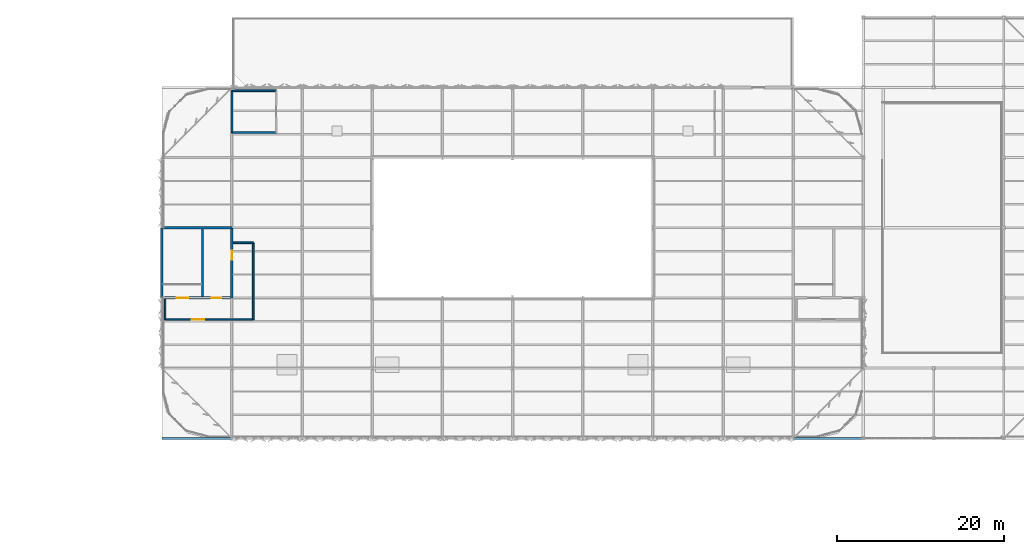
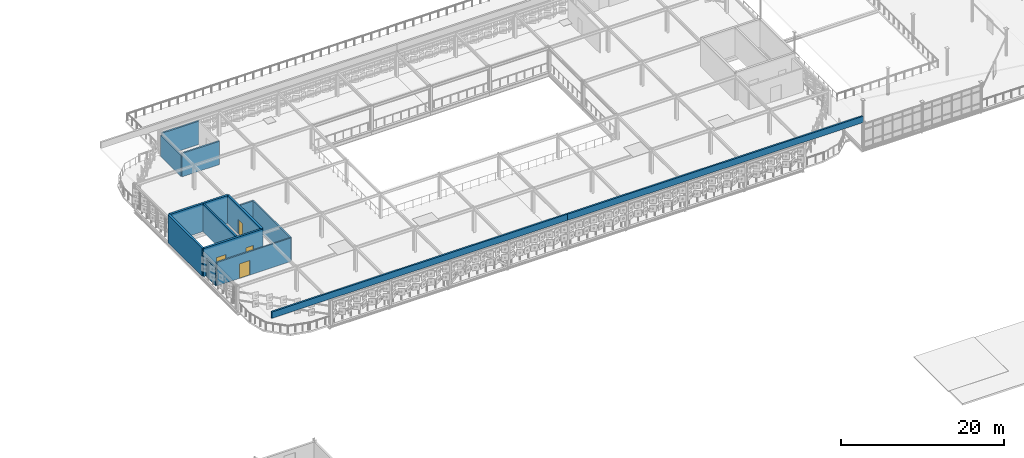
# One storey, part 50 of 65: 14 walls, 4 doors, 4 openings.
"""IFC4 building model written with IfcOpenShell, lengths in metres."""

from ifc_helpers import new_model, si_unit, direction, frame, frame_2d, origin, place, context, subcontext, project, spatial, rectangle, extrude, material, layer, layer_set, type_object, element, fill, save


model = new_model("IFC4")

# Units and contexts
model_context = context("Model", 3, precision=1e-05, world=origin(), true_north=direction((0.0, 1.0)))
body_context = subcontext(model_context, "Body", "Model", "MODEL_VIEW")
ifc_project = project(units=[si_unit("LENGTHUNIT", "METRE"), si_unit("AREAUNIT", "SQUARE_METRE"), si_unit("VOLUMEUNIT", "CUBIC_METRE"), si_unit("PLANEANGLEUNIT", "RADIAN"), si_unit("MASSUNIT", "GRAM", prefix="KILO")], contexts=[model_context])

# Site, building, storey
site_placement = place(None, origin())
site = spatial("IfcSite", under=ifc_project, at=site_placement, CompositionType="ELEMENT")
building_placement = place(site_placement, origin())
building = spatial("IfcBuilding", under=site, at=building_placement, Name="Qalvenar Corner Mobility Hub", CompositionType="ELEMENT")
storey_placement = place(building_placement, frame((0.0, 0.0, 17.39990234375)))
storey = spatial("IfcBuildingStorey", under=building, at=storey_placement, Name="L04", CompositionType="ELEMENT", Elevation=17.39990234375)

# Wall
ifc_material_1 = material(Name="Concrete C40/50", Category="concrete")
ifc_layer_1 = layer(ifc_material_1, 0.25)
ifc_layer_set_1 = layer_set([ifc_layer_1], Name="Concrete C40/50")
wall_type_1 = type_object("IfcWallType", Name="WL-CORE250", PredefinedType="SHEAR", material=ifc_layer_set_1)
wall_1_placement = place(storey_placement, frame((63.64990234375, 84.14990234375, 0.0), z_axis=(0.0, 0.0, 1.0), x_axis=(0.0, 1.0, 0.0)))
element("IfcWall", 1, at=wall_1_placement, inside=storey, type_object=wall_type_1, Name="Core Divider Wall C3-L04", PredefinedType="SHEAR", context=body_context, shape_type="SweptSolid", body=[
    extrude(rectangle(XDim=8.10009765625, YDim=0.25, at=frame_2d((4.050048828125, 0.0))), origin(), (0.0, 0.0, 1.0), 4.2001953125),
])

# Wall, openings, doors
ifc_layer_2 = layer(ifc_material_1, 0.300048828125)
ifc_layer_set_2 = layer_set([ifc_layer_2], Name="Concrete C40/50")
wall_type_2 = type_object("IfcWallType", Name="WL-CORE300", PredefinedType="SHEAR", material=ifc_layer_set_2)
wall_2_placement = place(storey_placement, frame((58.800048828125, 84.0, 0.0), z_axis=(0.0, 0.0, 1.0), x_axis=(1.0, 0.0, 0.0)))
wall_2 = element("IfcWall", 2, at=wall_2_placement, inside=storey, type_object=wall_type_2, Name="Core Shear Wall C3-L04-S", PredefinedType="SHEAR", context=body_context, shape_type="SweptSolid", body=[
    extrude(rectangle(XDim=8.39990234375, YDim=0.300048828125, at=frame_2d((4.199951171875, 0.0))), origin(), (0.0, 0.0, 1.0), 4.2001953125),
])
opening_1_placement = place(wall_2_placement, frame((1.800048828125, 0.0, 0.0)))
opening_1 = element("IfcOpeningElement", 3, at=opening_1_placement, cuts=wall_2, Name="Opening DR-234", PredefinedType="OPENING", context=body_context, shape_type="SweptSolid", body=[
    extrude(rectangle(XDim=1.35009765625, YDim=2.199951171875, at=frame_2d((0.675048828125, 1.10009765625))), frame((0.0, 0.16015625, 0.0), z_axis=(0.0, -1.0, 0.0), x_axis=(1.0, 0.0, 0.0)), (0.0, 0.0, 1.0), 0.320068359375),
])
opening_2_placement = place(wall_2_placement, frame((6.0, 0.0, 0.0)))
opening_2 = element("IfcOpeningElement", 4, at=opening_2_placement, cuts=wall_2, Name="Opening DR-235", PredefinedType="OPENING", context=body_context, shape_type="SweptSolid", body=[
    extrude(rectangle(XDim=1.10009765625, YDim=2.199951171875, at=frame_2d((0.550048828125, 1.10009765625))), frame((0.0, 0.16015625, 0.0), z_axis=(0.0, -1.0, 0.0), x_axis=(1.0, 0.0, 0.0)), (0.0, 0.0, 1.0), 0.320068359375),
])
ifc_material_2 = material(Name="Stainless Steel Lift Landing Door", Category="steel")
door_type_1 = type_object("IfcDoorType", Name="DR-LIFT-110", OperationType="SLIDING_TO_LEFT", PredefinedType="DOOR", material=ifc_material_2)
door_1_placement = place(opening_2_placement, origin())
door_1 = element("IfcDoor", 5, at=door_1_placement, inside=storey, type_object=door_type_1, Name="DR-235 Lift Landing Door LP2-L04", OperationType="SLIDING_TO_LEFT", OverallHeight=2.199951171875, OverallWidth=1.10009765625, PredefinedType="DOOR", context=body_context, shape_type="SweptSolid", body=[
    extrude(rectangle(XDim=1.10009765625, YDim=2.199951171875, at=frame_2d((0.550048828125, 1.10009765625))), frame((0.0, 0.02490234375, 0.0), z_axis=(0.0, -1.0, 0.0), x_axis=(1.0, 0.0, 0.0)), (0.0, 0.0, 1.0), 0.050048828125),
])
fill(opening_2, door_1)
ifc_material_3 = material(Name="Fire-Rated Steel Stair Door FD90", Category="steel")
door_type_2 = type_object("IfcDoorType", Name="DR-STAIR-135", OperationType="NOTDEFINED", PredefinedType="DOOR", material=ifc_material_3)
door_2_placement = place(opening_1_placement, origin())
door_2 = element("IfcDoor", 6, at=door_2_placement, inside=storey, type_object=door_type_2, Name="DR-234 Stair Fire Door ST3-L04", OperationType="SINGLE_SWING_LEFT", OverallHeight=2.199951171875, OverallWidth=1.35009765625, PredefinedType="DOOR", context=body_context, shape_type="SweptSolid", body=[
    extrude(rectangle(XDim=1.35009765625, YDim=2.199951171875, at=frame_2d((0.675048828125, 1.10009765625))), frame((0.0, 0.02490234375, 0.0), z_axis=(0.0, -1.0, 0.0), x_axis=(1.0, 0.0, 0.0)), (0.0, 0.0, 1.0), 0.050048828125),
])
fill(opening_1, door_2)

# Wall, opening, door
wall_3_placement = place(storey_placement, frame((67.199951171875, 84.0, 0.0), z_axis=(0.0, 0.0, 1.0), x_axis=(0.0, 1.0, 0.0)))
wall_3 = element("IfcWall", 7, at=wall_3_placement, inside=storey, type_object=wall_type_2, Name="Core Shear Wall C3-L04-E", PredefinedType="SHEAR", context=body_context, shape_type="SweptSolid", body=[
    extrude(rectangle(XDim=8.39990234375, YDim=0.300048828125, at=frame_2d((4.199951171875, 0.0))), origin(), (0.0, 0.0, 1.0), 4.2001953125),
])
opening_3_placement = place(wall_3_placement, frame((4.550048828125, 0.0, 0.0)))
opening_3 = element("IfcOpeningElement", 8, at=opening_3_placement, cuts=wall_3, Name="Opening DR-236", PredefinedType="OPENING", context=body_context, shape_type="SweptSolid", body=[
    extrude(rectangle(XDim=1.10009765625, YDim=2.199951171875, at=frame_2d((0.550048828125, 1.10009765625))), frame((0.0, 0.16015625, 0.0), z_axis=(0.0, -1.0, 0.0), x_axis=(1.0, 0.0, 0.0)), (0.0, 0.0, 1.0), 0.320068359375),
])
door_3_placement = place(opening_3_placement, origin())
door_3 = element("IfcDoor", 9, at=door_3_placement, inside=storey, type_object=door_type_1, Name="DR-236 Lift Landing Door LP3-L04", OperationType="SLIDING_TO_RIGHT", OverallHeight=2.199951171875, OverallWidth=1.10009765625, PredefinedType="DOOR", context=body_context, shape_type="SweptSolid", body=[
    extrude(rectangle(XDim=1.10009765625, YDim=2.199951171875, at=frame_2d((0.550048828125, 1.10009765625))), frame((0.0, 0.02490234375, 0.0), z_axis=(0.0, -1.0, 0.0), x_axis=(1.0, 0.0, 0.0)), (0.0, 0.0, 1.0), 0.050048828125),
])
fill(opening_3, door_3)

# Walls
for number, where, z_axis, x_axis, name in (
    (10, (67.199951171875, 92.39990234375, 0.0), (0.0, 0.0, 1.0), (-1.0, 0.0, 0.0), "Core Shear Wall C3-L04-N"),
    (11, (58.800048828125, 92.39990234375, 0.0), (0.0, 0.0, 1.0), (0.0, -1.0, 0.0), "Core Shear Wall C3-L04-W"),
):
    element("IfcWall", number, at=place(storey_placement, frame(where, z_axis=z_axis, x_axis=x_axis)), inside=storey, type_object=wall_type_2, Name=name, PredefinedType="SHEAR", context=body_context, shape_type="SweptSolid", body=[
        extrude(rectangle(XDim=8.39990234375, YDim=0.300048828125, at=frame_2d((4.199951171875, 0.0))), origin(), (0.0, 0.0, 1.0), 4.2001953125),
    ])
ifc_material_4 = material(Name="Concrete Blockwork Masonry", Category="masonry")
ifc_layer_3 = layer(ifc_material_4, 0.219970703125)
ifc_layer_set_3 = layer_set([ifc_layer_3], Name="Concrete Blockwork Masonry")
wall_type_3 = type_object("IfcWallType", Name="WL-FIRE220", PredefinedType="PARTITIONING", material=ifc_layer_set_3)
for number, where, z_axis, x_axis, name in (
    (12, (67.199951171875, 103.800048828125, 0.0), (0.0, 0.0, 1.0), (1.0, 0.0, 0.0), "Interior Partition PRT-L04-015"),
    (13, (67.199951171875, 108.800048828125, 0.0), (0.0, 0.0, 1.0), (1.0, 0.0, 0.0), "Interior Partition PRT-L04-016"),
):
    element("IfcWall", number, at=place(storey_placement, frame(where, z_axis=z_axis, x_axis=x_axis)), inside=storey, type_object=wall_type_3, Name=name, PredefinedType="PARTITIONING", context=body_context, shape_type="SweptSolid", body=[
        extrude(rectangle(XDim=5.300048828125, YDim=0.219970703125, at=frame_2d((2.64990234375, 0.0))), origin(), (0.0, 0.0, 1.0), 3.5),
    ])
wall_4_placement = place(storey_placement, frame((67.199951171875, 103.800048828125, 0.0), z_axis=(0.0, 0.0, 1.0), x_axis=(0.0, 1.0, 0.0)))
element("IfcWall", 14, at=wall_4_placement, inside=storey, type_object=wall_type_3, Name="Interior Partition PRT-L04-024", PredefinedType="PARTITIONING", context=body_context, shape_type="SweptSolid", body=[
    extrude(rectangle(XDim=5.0, YDim=0.219970703125, at=frame_2d((2.5, 0.0))), origin(), (0.0, 0.0, 1.0), 3.190185546875),
])
ifc_material_5 = material(Name="Concrete Blockwork Masonry", Category="masonry")
ifc_layer_4 = layer(ifc_material_5, 0.199951171875)
ifc_layer_set_4 = layer_set([ifc_layer_4], Name="Concrete Blockwork Masonry")
wall_type_4 = type_object("IfcWallType", Name="WL-LOBBY200", PredefinedType="PARTITIONING", material=ifc_layer_set_4)
wall_5_placement = place(storey_placement, frame((59.199951171875, 81.39990234375, 0.0), z_axis=(0.0, 0.0, 1.0), x_axis=(0.0, 1.0, 0.0)))
element("IfcWall", 15, at=wall_5_placement, inside=storey, type_object=wall_type_4, Name="Interior Partition WL-LOB-C3-L04-W", PredefinedType="PARTITIONING", context=body_context, shape_type="SweptSolid", body=[
    extrude(rectangle(XDim=2.4501953125, YDim=0.199951171875, at=frame_2d((1.22509765625, 0.0))), origin(), (0.0, 0.0, 1.0), 2.60009765625),
])

# Wall, opening, door
wall_6_placement = place(storey_placement, frame((59.199951171875, 81.39990234375, 0.0), z_axis=(0.0, 0.0, 1.0), x_axis=(1.0, 0.0, 0.0)))
wall_6 = element("IfcWall", 16, at=wall_6_placement, inside=storey, type_object=wall_type_4, Name="Interior Partition WL-LOB-C3-L04-S", PredefinedType="PARTITIONING", context=body_context, shape_type="SweptSolid", body=[
    extrude(rectangle(XDim=10.550048828125, YDim=0.199951171875, at=frame_2d((5.27490234375, 0.0))), origin(), (0.0, 0.0, 1.0), 3.52001953125),
])
opening_4_placement = place(wall_6_placement, frame((3.199951171875, 0.0, 0.0)))
opening_4 = element("IfcOpeningElement", 17, at=opening_4_placement, cuts=wall_6, Name="Opening DR-237", PredefinedType="OPENING", context=body_context, shape_type="SweptSolid", body=[
    extrude(rectangle(XDim=1.5, YDim=2.199951171875, at=frame_2d((0.75, 1.10009765625))), frame((0.0, 0.10986328125, 0.0), z_axis=(0.0, -1.0, 0.0), x_axis=(1.0, 0.0, 0.0)), (0.0, 0.0, 1.0), 0.219970703125),
])
ifc_material_6 = material(Name="Firefighting Lobby Smoke-Control Door FD60", Category="steel")
door_type_3 = type_object("IfcDoorType", Name="DR-FFLOB-150", OperationType="DOUBLE_DOOR_SINGLE_SWING", PredefinedType="DOOR", material=ifc_material_6)
door_4_placement = place(opening_4_placement, origin())
door_4 = element("IfcDoor", 18, at=door_4_placement, inside=storey, type_object=door_type_3, Name="DR-237 Lift Lobby Smoke Door C3-L04", OperationType="DOUBLE_DOOR_SINGLE_SWING", OverallHeight=2.199951171875, OverallWidth=1.5, PredefinedType="DOOR", context=body_context, shape_type="SweptSolid", body=[
    extrude(rectangle(XDim=1.5, YDim=2.199951171875, at=frame_2d((0.75, 1.10009765625))), frame((0.0, 0.02490234375, 0.0), z_axis=(0.0, -1.0, 0.0), x_axis=(1.0, 0.0, 0.0)), (0.0, 0.0, 1.0), 0.050048828125),
])
fill(opening_4, door_4)

# Walls
wall_7_placement = place(storey_placement, frame((69.75, 81.39990234375, 0.0), z_axis=(0.0, 0.0, 1.0), x_axis=(0.0, 1.0, 0.0)))
element("IfcWall", 19, at=wall_7_placement, inside=storey, type_object=wall_type_4, Name="Interior Partition WL-LOB-C3-L04-E", PredefinedType="PARTITIONING", context=body_context, shape_type="SweptSolid", body=[
    extrude(rectangle(XDim=9.2001953125, YDim=0.199951171875, at=frame_2d((4.60009765625, 0.0))), origin(), (0.0, 0.0, 1.0), 3.52001953125),
])
wall_8_placement = place(storey_placement, frame((67.360107421875, 90.60009765625, 0.0), z_axis=(0.0, 0.0, 1.0), x_axis=(1.0, 0.0, 0.0)))
element("IfcWall", 20, at=wall_8_placement, inside=storey, type_object=wall_type_4, Name="Interior Partition WL-LOB-C3-L04-N", PredefinedType="PARTITIONING", context=body_context, shape_type="SweptSolid", body=[
    extrude(rectangle(XDim=2.389892578125, YDim=0.199951171875, at=frame_2d((1.19482421875, 0.0))), origin(), (0.0, 0.0, 1.0), 3.52001953125),
])
ifc_material_7 = material(Name="Red Sandstone Parapet Masonry", Category="masonry")
ifc_layer_5 = layer(ifc_material_7, 0.239990234375)
ifc_layer_set_5 = layer_set([ifc_layer_5], Name="Red Sandstone Parapet Masonry")
wall_type_5 = type_object("IfcWallType", Name="WL-PAR240", PredefinedType="PARAPET", material=ifc_layer_set_5)
for number, where, z_axis, x_axis, name in (
    (21, (58.800048828125, 67.199951171875, 3.900146484375), (0.0, 0.0, 1.0), (1.0, 0.0, 0.0), "Roof Parapet Wall PW-01"),
    (22, (100.800048828125, 67.199951171875, 3.900146484375), (0.0, 0.0, 1.0), (1.0, 0.0, 0.0), "Roof Parapet Wall PW-02"),
):
    element("IfcWall", number, at=place(storey_placement, frame(where, z_axis=z_axis, x_axis=x_axis)), inside=storey, type_object=wall_type_5, Name=name, PredefinedType="PARAPET", context=body_context, shape_type="SweptSolid", body=[
        extrude(rectangle(XDim=42.0, YDim=0.239990234375, at=frame_2d((21.0, 0.0))), origin(), (0.0, 0.0, 1.0), 0.949951171875),
    ])

save(model, "model.ifc")
